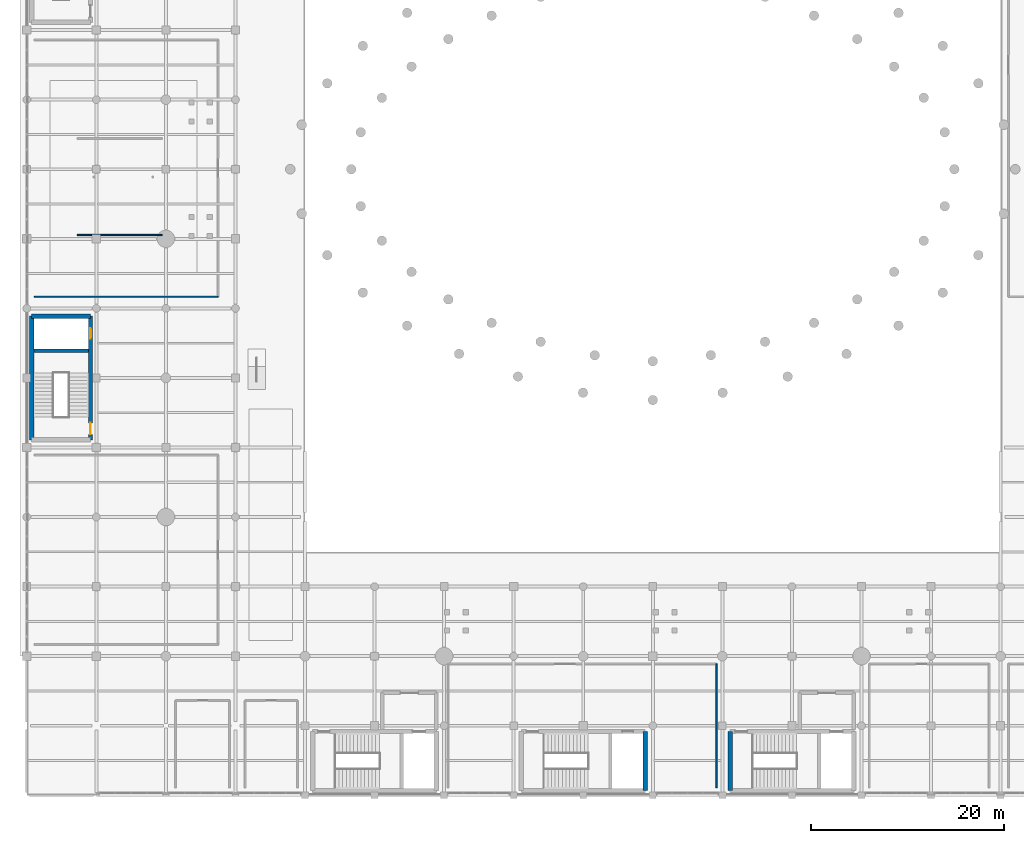
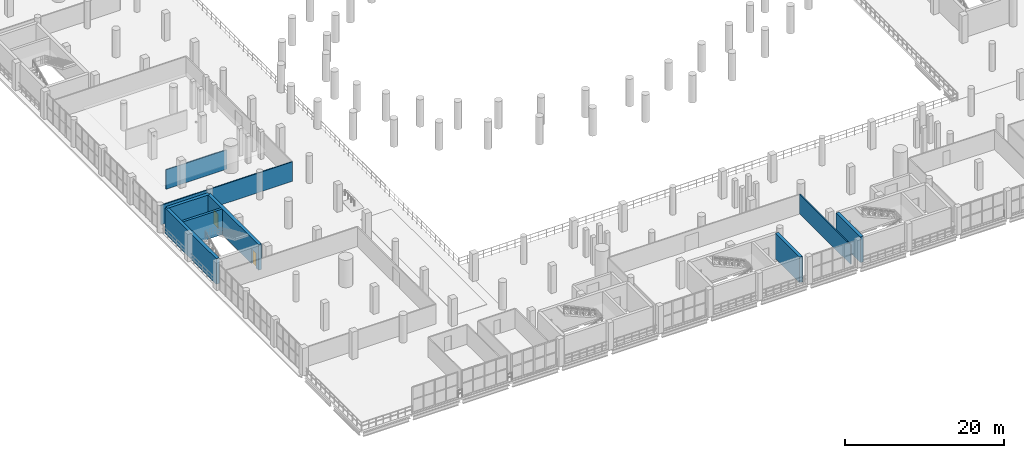
# One storey, part 132 of 153: 9 walls, 2 doors, 2 openings.
"""IFC4 building model written with IfcOpenShell, lengths in metres."""

import ifcopenshell
import ifcopenshell.guid

model = None  # the IFC model being written
_history = None  # IfcOwnerHistory: only IFC2X3 demands one
_inside = {}  # id of a spatial element -> (the spatial element, [elements in it])
_under = {}  # id of a project, library or spatial element -> (it, [spatial elements below it])
_declared = {}  # id of a project -> (the project, [libraries it declares])
_typed = {}  # id of a type object -> (the type object, [elements of that type])
_made_of = {}  # id of a material, layer set ... -> (it, [elements and type objects made of it])


def new_model(schema):
    """Start an empty IFC model of exactly this schema.

    Asked for "IFC4X3", IfcOpenShell would pick the latest addendum, in which some entities
    have other attributes; the version numbers below select the first issue.
    IFC2X3 requires an IfcOwnerHistory on every rooted entity: one is made here for all.
    """
    global model, _history
    if schema == "IFC4X3":
        model = ifcopenshell.file(schema_version=(4, 3, 0, 0))
    else:
        model = ifcopenshell.file(schema=schema)
    _inside.clear()
    _under.clear()
    _declared.clear()
    _typed.clear()
    _made_of.clear()
    _history = None
    if model.schema == "IFC2X3":
        org = make("IfcOrganization", Name="unknown")
        user = make(
            "IfcPersonAndOrganization",
            ThePerson=make("IfcPerson", FamilyName="unknown"),
            TheOrganization=org,
        )
        app = make(
            "IfcApplication",
            ApplicationDeveloper=org,
            Version="unknown",
            ApplicationFullName="unknown",
            ApplicationIdentifier="unknown",
        )
        _history = make(
            "IfcOwnerHistory",
            OwningUser=user,
            OwningApplication=app,
            ChangeAction="ADDED",
            CreationDate=0,
        )
    return model


def make(cls, **values):
    """One entity of the class cls with the attributes given. An attribute that is None is left unset."""
    return model.create_entity(
        cls, **{name: value for name, value in values.items() if value is not None}
    )


def rooted(cls, **values):
    """An entity with a GlobalId (a new one), such as an element, a storey or a relation."""
    return make(cls, GlobalId=ifcopenshell.guid.new(), OwnerHistory=_history, **values)


def si_unit(unit_type, name, prefix=None):
    """IfcSIUnit, for example si_unit("LENGTHUNIT", "METRE", prefix="MILLI")."""
    return make("IfcSIUnit", UnitType=unit_type, Prefix=prefix, Name=name)


def assignment(units):
    """IfcUnitAssignment: the units of a project."""
    return None if units is None else make("IfcUnitAssignment", Units=units)


def point(xyz):
    """IfcCartesianPoint."""
    return None if xyz is None else make("IfcCartesianPoint", Coordinates=xyz)


def direction(xyz):
    """IfcDirection."""
    return None if xyz is None else make("IfcDirection", DirectionRatios=xyz)


def frame(location, z_axis=None, x_axis=None):
    """IfcAxis2Placement3D, a coordinate frame: its origin and axes. An axis left out is left unset."""
    return make(
        "IfcAxis2Placement3D",
        Location=point(location),
        Axis=direction(z_axis),
        RefDirection=direction(x_axis),
    )


def frame_2d(location, x_axis=None):
    """IfcAxis2Placement2D, a coordinate frame in the plane: its origin and x axis."""
    return make(
        "IfcAxis2Placement2D", Location=point(location), RefDirection=direction(x_axis)
    )


def origin():
    """The frame at (0, 0, 0) with its axes left unset."""
    return frame((0.0, 0.0, 0.0))


def place(relative_to, where):
    """IfcLocalPlacement: puts the frame where relative to a parent placement (None: the world)."""
    return make(
        "IfcLocalPlacement", PlacementRelTo=relative_to, RelativePlacement=where
    )


def context(
    kind, dimensions, precision=None, world=None, true_north=None, identifier=None
):
    """IfcGeometricRepresentationContext, for example the 3D "Model" context."""
    return make(
        "IfcGeometricRepresentationContext",
        ContextIdentifier=identifier,
        ContextType=kind,
        CoordinateSpaceDimension=dimensions,
        Precision=precision,
        WorldCoordinateSystem=world,
        TrueNorth=true_north,
    )


def subcontext(parent, identifier, kind, view, scale=None):
    """IfcGeometricRepresentationSubContext, for example "Body" below "Model"."""
    return make(
        "IfcGeometricRepresentationSubContext",
        ContextIdentifier=identifier,
        ContextType=kind,
        ParentContext=parent,
        TargetScale=scale,
        TargetView=view,
    )


def project(units=None, contexts=None):
    """IfcProject with its units and contexts."""
    return rooted(
        "IfcProject",
        Name="project",
        RepresentationContexts=contexts,
        UnitsInContext=assignment(units),
    )


def spatial(cls, under=None, at=None, **own):
    """A site, building, storey or space (cls), placed at a placement, below another one or the project."""
    s = rooted(cls, ObjectPlacement=at, **own)
    if under is not None:
        _under.setdefault(under.id(), (under, []))[1].append(s)
    return s


def profile(cls, at=None, kind="AREA", **sizes):
    """A parametric profile (cls). Its sizes go by their IFC names, for example OverallWidth=200.0."""
    return make(cls, ProfileType=kind, Position=at, **sizes)


def rectangle(**sizes):
    """IfcRectangleProfileDef."""
    return profile("IfcRectangleProfileDef", **sizes)


def extrude(swept, where, along, depth):
    """IfcExtrudedAreaSolid: the profile swept, set in the frame where, extruded along a direction by depth."""
    return make(
        "IfcExtrudedAreaSolid",
        SweptArea=swept,
        Position=where,
        ExtrudedDirection=direction(along),
        Depth=depth,
    )


def shape(context_of_items, identifier, shape_type, items):
    """IfcShapeRepresentation: the items that make up one representation, for example the "Body"."""
    return make(
        "IfcShapeRepresentation",
        ContextOfItems=context_of_items,
        RepresentationIdentifier=identifier,
        RepresentationType=shape_type,
        Items=items,
    )


def material(Name=None, Category=None):
    """IfcMaterial."""
    return make("IfcMaterial", Name=Name, Category=Category)


def layer(
    of_material, thickness, ventilated=None, Name=None, Category=None, Priority=None
):
    """IfcMaterialLayer: one layer of a wall or slab, of a material (None: an air gap)."""
    return make(
        "IfcMaterialLayer",
        Material=of_material,
        LayerThickness=thickness,
        IsVentilated=ventilated,
        Name=Name,
        Category=Category,
        Priority=Priority,
    )


def layer_set(layers, Name=None):
    """IfcMaterialLayerSet."""
    return make("IfcMaterialLayerSet", MaterialLayers=layers, LayerSetName=Name)


def made_of(thing, what):
    """Note that an element or type object is made of a material, layer set ...; save() writes the relation."""
    if what is not None:
        _made_of.setdefault(what.id(), (what, []))[1].append(thing)
    return thing


def type_object(cls, material=None, **own):
    """A type object (cls), such as IfcWallType, which elements share."""
    return made_of(rooted(cls, **own), material)


def element(
    cls,
    number,
    at=None,
    inside=None,
    cuts=None,
    type_object=None,
    material=None,
    context=None,
    identifier="Body",
    shape_type=None,
    held_by="IfcProductDefinitionShape",
    body=None,
    shapes=None,
    **own,
):
    """One element of the class cls, such as IfcWall. Its Tag is "e" and its number.

    at: its placement. inside: the storey or other place that contains it. cuts: it is an
    opening in that element (IfcRelVoidsElement). A single representation is given by context,
    identifier, shape_type and body (its items); several are given by shapes. held_by: the class
    of the entity that holds the representations. save() writes the other relations.
    """
    e = rooted(cls, Tag="e%d" % number, ObjectPlacement=at, **own)
    if body is not None:
        shapes = [shape(context, identifier, shape_type, body)]
    if shapes is not None:
        e.Representation = make(held_by, Representations=shapes)
    if inside is not None:
        _inside.setdefault(inside.id(), (inside, []))[1].append(e)
    if cuts is not None:
        rooted(
            "IfcRelVoidsElement", RelatingBuildingElement=cuts, RelatedOpeningElement=e
        )
    if type_object is not None:
        _typed.setdefault(type_object.id(), (type_object, []))[1].append(e)
    return made_of(e, material)


def fill(opening, filler):
    """IfcRelFillsElement: the door or window that sits in an opening."""
    return rooted(
        "IfcRelFillsElement",
        RelatingOpeningElement=opening,
        RelatedBuildingElement=filler,
    )


def aggregate(whole, parts):
    """IfcRelAggregates: a whole, such as a stair, and the parts it consists of."""
    return rooted("IfcRelAggregates", RelatingObject=whole, RelatedObjects=parts)


def save(model, path):
    """Write the relations noted so far, then the file.

    IfcRelAggregates (storeys below a building ...), IfcRelContainedInSpatialStructure (elements
    in a storey), IfcRelDefinesByType, IfcRelAssociatesMaterial and IfcRelDeclares: one each for
    every whole, place, type object, material and project.
    """
    for whole, parts in _under.values():
        aggregate(whole, parts)
    for where, things in _inside.values():
        rooted(
            "IfcRelContainedInSpatialStructure",
            RelatedElements=things,
            RelatingStructure=where,
        )
    for kind, things in _typed.values():
        rooted("IfcRelDefinesByType", RelatedObjects=things, RelatingType=kind)
    for what, things in _made_of.values():
        rooted("IfcRelAssociatesMaterial", RelatedObjects=things, RelatingMaterial=what)
    for by, libraries in _declared.values():
        rooted("IfcRelDeclares", RelatingContext=by, RelatedDefinitions=libraries)
    model.write(path)


model = new_model("IFC4")

# Units and contexts
model_context = context("Model", 3, precision=1e-05, world=origin(), true_north=direction((0.0, 1.0)))
body_context = subcontext(model_context, "Body", "Model", "MODEL_VIEW")
ifc_project = project(units=[si_unit("LENGTHUNIT", "METRE"), si_unit("AREAUNIT", "SQUARE_METRE"), si_unit("VOLUMEUNIT", "CUBIC_METRE"), si_unit("PLANEANGLEUNIT", "RADIAN"), si_unit("MASSUNIT", "GRAM", prefix="KILO")], contexts=[model_context])

# Site, building, storey
site_placement = place(None, origin())
site = spatial("IfcSite", under=ifc_project, at=site_placement, CompositionType="ELEMENT")
building_placement = place(site_placement, origin())
building = spatial("IfcBuilding", under=site, at=building_placement, Name="Qandorah Velis Arena", CompositionType="ELEMENT")
storey_placement = place(building_placement, frame((0.0, 0.0, 5.39990234375)))
storey = spatial("IfcBuildingStorey", under=building, at=storey_placement, Name="L01", CompositionType="ELEMENT", Elevation=5.39990234375)

# Walls
ifc_material_1 = material(Name="Steel S355", Category="steel")
ifc_layer_1 = layer(ifc_material_1, 0.139892578125)
ifc_layer_set_1 = layer_set([ifc_layer_1], Name="Steel S355")
wall_type_1 = type_object("IfcWallType", Name="ARC-WAL-MOV140", PredefinedType="MOVABLE", material=ifc_layer_set_1)
wall_1_placement = place(storey_placement, frame((5.199951171875, 58.0, 0.0), z_axis=(0.0, 0.0, 1.0), x_axis=(1.0, 0.0, 0.0)))
element("IfcWall", 1, at=wall_1_placement, inside=storey, type_object=wall_type_1, Name="Operable acoustic partition MP-01", PredefinedType="MOVABLE", context=body_context, shape_type="SweptSolid", body=[
    extrude(rectangle(XDim=8.800048828125, YDim=0.139892578125, at=frame_2d((4.39990234375, 0.0))), origin(), (0.0, 0.0, 1.0), 2.97021484375),
])
ifc_material_2 = material(Name="Concrete C35/45", Category="concrete")
ifc_layer_2 = layer(ifc_material_2, 0.14990234375)
ifc_layer_set_2 = layer_set([ifc_layer_2], Name="Concrete C35/45")
wall_type_2 = type_object("IfcWallType", Name="ARC-WAL-PART150", PredefinedType="PARTITIONING", material=ifc_layer_set_2)
wall_2_placement = place(storey_placement, frame((0.800048828125, 51.60009765625, 0.0), z_axis=(0.0, 0.0, 1.0), x_axis=(1.0, 0.0, 0.0)))
element("IfcWall", 2, at=wall_2_placement, inside=storey, type_object=wall_type_2, Name="Interior partition L01-CLB-MID (S)", PredefinedType="PARTITIONING", context=body_context, shape_type="SweptSolid", body=[
    extrude(rectangle(XDim=19.0, YDim=0.14990234375, at=frame_2d((9.5, 0.0))), origin(), (0.0, 0.0, 1.0), 2.97998046875),
])
wall_3_placement = place(storey_placement, frame((71.39990234375, 0.800048828125, 0.0), z_axis=(0.0, 0.0, 1.0), x_axis=(0.0, 1.0, 0.0)))
element("IfcWall", 3, at=wall_3_placement, inside=storey, type_object=wall_type_2, Name="Interior partition L01-CLB-S (E)", PredefinedType="PARTITIONING", context=body_context, shape_type="SweptSolid", body=[
    extrude(rectangle(XDim=12.800048828125, YDim=0.14990234375, at=frame_2d((6.39990234375, 0.0))), origin(), (0.0, 0.0, 1.0), 2.97998046875),
])
ifc_material_3 = material(Name="Concrete C40/50", Category="concrete")
ifc_layer_3 = layer(ifc_material_3, 0.449951171875)
ifc_layer_set_3 = layer_set([ifc_layer_3], Name="Concrete C40/50")
wall_type_3 = type_object("IfcWallType", Name="STR-WAL-CORE450", PredefinedType="SHEAR", material=ifc_layer_set_3)
for number, where, z_axis, x_axis, name in (
    (4, (72.800048828125, 0.5, 0.0), (0.0, 0.0, 1.0), (0.0, 1.0, 0.0), "Core CORE-02 shear wall W (L01)"),
    (5, (0.5, 49.60009765625, 0.0), (0.0, 0.0, 1.0), (1.0, 0.0, 0.0), "Core CORE-05 shear wall N (L01)"),
):
    element("IfcWall", number, at=place(storey_placement, frame(where, z_axis=z_axis, x_axis=x_axis)), inside=storey, type_object=wall_type_3, Name=name, PredefinedType="SHEAR", context=body_context, shape_type="SweptSolid", body=[
        extrude(rectangle(XDim=6.10009765625, YDim=0.449951171875, at=frame_2d((3.050048828125, 0.0))), origin(), (0.0, 0.0, 1.0), 3.920166015625),
    ])
wall_4_placement = place(storey_placement, frame((0.5, 36.800048828125, 0.0), z_axis=(0.0, 0.0, 1.0), x_axis=(0.0, 1.0, 0.0)))
element("IfcWall", 6, at=wall_4_placement, inside=storey, type_object=wall_type_3, Name="Core CORE-05 shear wall W (L01)", PredefinedType="SHEAR", context=body_context, shape_type="SweptSolid", body=[
    extrude(rectangle(XDim=12.800048828125, YDim=0.449951171875, at=frame_2d((6.39990234375, 0.0))), origin(), (0.0, 0.0, 1.0), 3.920166015625),
])

# Wall, openings, doors
wall_5_placement = place(storey_placement, frame((6.60009765625, 36.800048828125, 0.0), z_axis=(0.0, 0.0, 1.0), x_axis=(0.0, 1.0, 0.0)))
wall_5 = element("IfcWall", 7, at=wall_5_placement, inside=storey, type_object=wall_type_3, Name="Core CORE-05 shear wall E (L01)", PredefinedType="SHEAR", context=body_context, shape_type="SweptSolid", body=[
    extrude(rectangle(XDim=12.800048828125, YDim=0.449951171875, at=frame_2d((6.39990234375, 0.0))), origin(), (0.0, 0.0, 1.0), 3.920166015625),
])
opening_1_placement = place(wall_5_placement, frame((0.550048828125, 0.0, 0.0)))
opening_1 = element("IfcOpeningElement", 8, at=opening_1_placement, cuts=wall_5, Name="Opening SD1", PredefinedType="OPENING", context=body_context, shape_type="SweptSolid", body=[
    extrude(rectangle(XDim=1.199951171875, YDim=2.25, at=frame_2d((0.60009765625, 1.125))), frame((0.0, 0.23486328125, 0.0), z_axis=(0.0, -1.0, 0.0), x_axis=(1.0, 0.0, 0.0)), (0.0, 0.0, 1.0), 0.469970703125),
])
opening_2_placement = place(wall_5_placement, frame((10.4580078125, 0.0, 0.0)))
opening_2 = element("IfcOpeningElement", 9, at=opening_2_placement, cuts=wall_5, Name="Opening LD1", PredefinedType="OPENING", context=body_context, shape_type="SweptSolid", body=[
    extrude(rectangle(XDim=1.10009765625, YDim=2.199951171875, at=frame_2d((0.550048828125, 1.10009765625))), frame((0.0, 0.23486328125, 0.0), z_axis=(0.0, -1.0, 0.0), x_axis=(1.0, 0.0, 0.0)), (0.0, 0.0, 1.0), 0.469970703125),
])
ifc_material_4 = material(Name="Stainless steel sliding lift landing door", Category="steel")
door_type_1 = type_object("IfcDoorType", Name="ARC-DR-LD1100", OperationType="NOTDEFINED", PredefinedType="DOOR", material=ifc_material_4)
door_1_placement = place(opening_2_placement, origin())
door_1 = element("IfcDoor", 10, at=door_1_placement, inside=storey, type_object=door_type_1, Name="Lift PL3 sliding landing door (L01)", OperationType="SLIDING_TO_LEFT", OverallHeight=2.199951171875, OverallWidth=1.10009765625, PredefinedType="DOOR", context=body_context, shape_type="SweptSolid", body=[
    extrude(rectangle(XDim=1.10009765625, YDim=2.199951171875, at=frame_2d((0.550048828125, 1.10009765625))), frame((0.0, 0.02490234375, 0.0), z_axis=(0.0, -1.0, 0.0), x_axis=(1.0, 0.0, 0.0)), (0.0, 0.0, 1.0), 0.050048828125),
])
fill(opening_2, door_1)
ifc_material_5 = material(Name="Self-closing fire-rated stair steel door", Category="steel")
door_type_2 = type_object("IfcDoorType", Name="ARC-DR-ST1200", OperationType="NOTDEFINED", PredefinedType="DOOR", material=ifc_material_5)
door_2_placement = place(opening_1_placement, origin())
door_2 = element("IfcDoor", 11, at=door_2_placement, inside=storey, type_object=door_type_2, Name="Stair ST5 fire door (L01)", OperationType="SINGLE_SWING_RIGHT", OverallHeight=2.25, OverallWidth=1.199951171875, PredefinedType="DOOR", context=body_context, shape_type="SweptSolid", body=[
    extrude(rectangle(XDim=1.199951171875, YDim=2.25, at=frame_2d((0.60009765625, 1.125))), frame((0.0, 0.02490234375, 0.0), z_axis=(0.0, -1.0, 0.0), x_axis=(1.0, 0.0, 0.0)), (0.0, 0.0, 1.0), 0.050048828125),
])
fill(opening_1, door_2)

# Walls
wall_6_placement = place(storey_placement, frame((64.0, 0.5, 0.0), z_axis=(0.0, 0.0, 1.0), x_axis=(0.0, 1.0, 0.0)))
element("IfcWall", 12, at=wall_6_placement, inside=storey, type_object=wall_type_3, Name="Core CORE-09 shear wall E (L01)", PredefinedType="SHEAR", context=body_context, shape_type="SweptSolid", body=[
    extrude(rectangle(XDim=6.10009765625, YDim=0.449951171875, at=frame_2d((3.050048828125, 0.0))), origin(), (0.0, 0.0, 1.0), 3.920166015625),
])
ifc_layer_4 = layer(ifc_material_3, 0.35009765625)
ifc_layer_set_4 = layer_set([ifc_layer_4], Name="Concrete C40/50")
wall_type_4 = type_object("IfcWallType", Name="STR-WAL-SH350", PredefinedType="SHEAR", material=ifc_layer_set_4)
wall_7_placement = place(storey_placement, frame((0.72509765625, 46.01611328125, 0.0), z_axis=(0.0, 0.0, 1.0), x_axis=(1.0, 0.0, 0.0)))
element("IfcWall", 13, at=wall_7_placement, inside=storey, type_object=wall_type_4, Name="Core CORE-05 shaft divider shear wall (L01)", PredefinedType="SHEAR", context=body_context, shape_type="SweptSolid", body=[
    extrude(rectangle(XDim=5.64990234375, YDim=0.35009765625, at=frame_2d((2.824951171875, 0.0))), origin(), (0.0, 0.0, 1.0), 3.920166015625),
])

save(model, "model.ifc")
